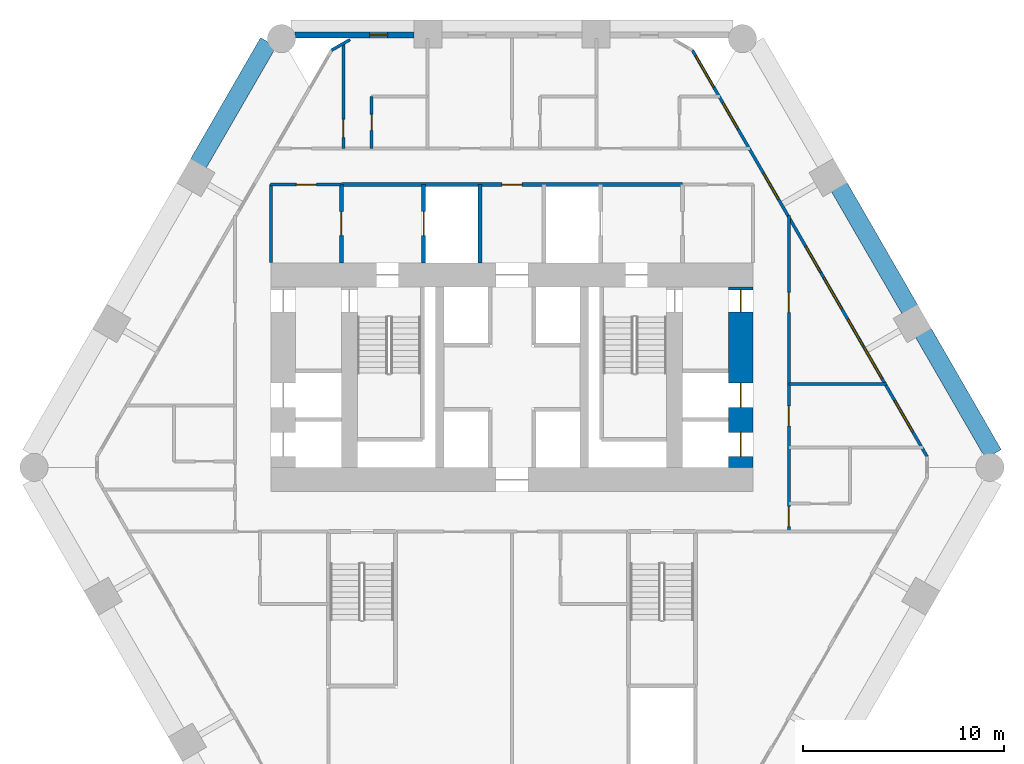
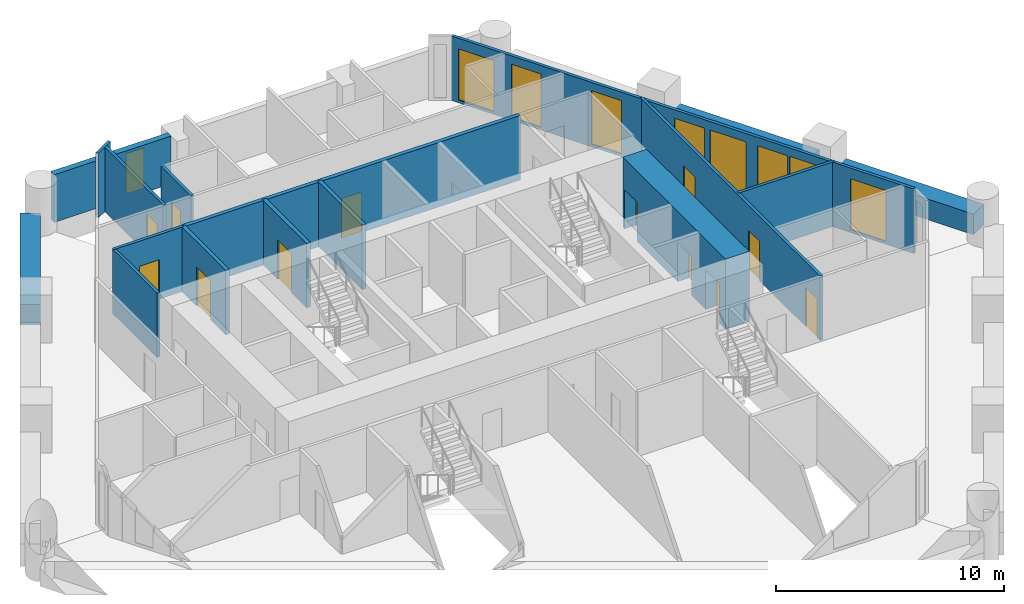
# One storey, part 5 of 8: 17 walls, 12 doors, 9 windows, 21 openings.
"""IFC4 building model written with IfcOpenShell, lengths in metres."""

from ifc_helpers import new_model, si_unit, direction, frame, frame_2d, origin, place, context, subcontext, project, spatial, rectangle, extrude, material, layer, layer_set, type_object, element, fill, save


model = new_model("IFC4")

# Units and contexts
model_context = context("Model", 3, precision=1e-05, world=origin(), true_north=direction((0.0, 1.0)))
body_context = subcontext(model_context, "Body", "Model", "MODEL_VIEW")
ifc_project = project(units=[si_unit("LENGTHUNIT", "METRE"), si_unit("AREAUNIT", "SQUARE_METRE"), si_unit("VOLUMEUNIT", "CUBIC_METRE"), si_unit("PLANEANGLEUNIT", "RADIAN"), si_unit("MASSUNIT", "GRAM", prefix="KILO")], contexts=[model_context])

# Site, building, storey
site_placement = place(None, origin())
site = spatial("IfcSite", under=ifc_project, at=site_placement, CompositionType="ELEMENT")
building_placement = place(site_placement, origin())
building = spatial("IfcBuilding", under=site, at=building_placement, Name="Ostrander Bayou Hotel Tower", CompositionType="ELEMENT")
storey_placement = place(building_placement, frame((0.0, 0.0, 50.5)))
storey = spatial("IfcBuildingStorey", under=building, at=storey_placement, Name="L12", CompositionType="ELEMENT", Elevation=50.5)

# Wall, openings, doors
ifc_material_1 = material(Name="Concrete f'c 70 MPa", Category="concrete")
ifc_layer_1 = layer(ifc_material_1, 1.199951171875)
ifc_layer_set_1 = layer_set([ifc_layer_1], Name="CW1 core wall 1200 mm f'c 70 MPa")
wall_type_1 = type_object("IfcWallType", Name="CW1 core wall 1200 mm f'c 70 MPa", PredefinedType="SHEAR", material=ifc_layer_set_1)
wall_1_placement = place(storey_placement, frame((11.39990234375, -0.5, -0.300048828125), z_axis=(0.0, 0.0, 1.0), x_axis=(0.0, 1.0, 0.0)))
wall_1 = element("IfcWall", 1, at=wall_1_placement, inside=storey, type_object=wall_type_1, Name="CW1 L12 RE", PredefinedType="SHEAR", context=body_context, shape_type="SweptSolid", body=[
    extrude(rectangle(XDim=9.0, YDim=1.199951171875, at=frame_2d((4.5, 0.0))), origin(), (0.0, 0.0, 1.0), 3.75),
])
opening_1_placement = place(wall_1_placement, frame((7.75, 0.0, 0.0)))
opening_1 = element("IfcOpeningElement", 2, at=opening_1_placement, cuts=wall_1, Name="Opening T12-017", PredefinedType="OPENING", context=body_context, shape_type="SweptSolid", body=[
    extrude(rectangle(XDim=1.10009765625, YDim=2.10009765625, at=frame_2d((0.550048828125, 1.050048828125))), frame((0.0, 0.60009765625, 0.0), z_axis=(0.0, -1.0, 0.0), x_axis=(1.0, 0.0, 0.0)), (0.0, 0.0, 1.0), 1.199951171875),
])
opening_2_placement = place(wall_1_placement, frame((0.550048828125, 0.0, 0.0)))
opening_2 = element("IfcOpeningElement", 3, at=opening_2_placement, cuts=wall_1, Name="Opening T12-018", PredefinedType="OPENING", context=body_context, shape_type="SweptSolid", body=[
    extrude(rectangle(XDim=1.199951171875, YDim=2.10009765625, at=frame_2d((0.60009765625, 1.050048828125))), frame((0.0, 0.60009765625, 0.0), z_axis=(0.0, -1.0, 0.0), x_axis=(1.0, 0.0, 0.0)), (0.0, 0.0, 1.0), 1.199951171875),
])
opening_3_placement = place(wall_1_placement, frame((3.0, 0.0, 0.0)))
opening_3 = element("IfcOpeningElement", 4, at=opening_3_placement, cuts=wall_1, Name="Opening T12-019", PredefinedType="OPENING", context=body_context, shape_type="SweptSolid", body=[
    extrude(rectangle(XDim=1.199951171875, YDim=2.10009765625, at=frame_2d((0.60009765625, 1.050048828125))), frame((0.0, 0.60009765625, 0.0), z_axis=(0.0, -1.0, 0.0), x_axis=(1.0, 0.0, 0.0)), (0.0, 0.0, 1.0), 1.199951171875),
])
ifc_material_2 = material(Name="Timber door leaf", Category="wood")
door_type_1 = type_object("IfcDoorType", Name="D5 stair door 1100 x 2100 mm, 90 minute", OperationType="SINGLE_SWING_LEFT", PredefinedType="DOOR", material=ifc_material_2)
door_1_placement = place(opening_1_placement, origin())
door_1 = element("IfcDoor", 5, at=door_1_placement, inside=storey, type_object=door_type_1, Name="dr:L12:017", OperationType="SINGLE_SWING_RIGHT", OverallHeight=2.10009765625, OverallWidth=1.10009765625, PredefinedType="DOOR", context=body_context, shape_type="SweptSolid", body=[
    extrude(rectangle(XDim=1.10009765625, YDim=2.10009765625, at=frame_2d((0.550048828125, 1.050048828125))), frame((0.0, 0.02490234375, 0.0), z_axis=(0.0, -1.0, 0.0), x_axis=(1.0, 0.0, 0.0)), (0.0, 0.0, 1.0), 0.050048828125),
])
fill(opening_1, door_1)
ifc_material_3 = material(Name="Stainless steel sliding door", Category="steel")
door_type_2 = type_object("IfcDoorType", Name="LD1 lift landing door 1200 x 2100 mm", OperationType="SINGLE_SWING_LEFT", PredefinedType="DOOR", material=ifc_material_3)
door_2_placement = place(opening_2_placement, origin())
door_2 = element("IfcDoor", 6, at=door_2_placement, inside=storey, type_object=door_type_2, Name="dr:L12:018", OperationType="SLIDING_TO_LEFT", OverallHeight=2.10009765625, OverallWidth=1.199951171875, PredefinedType="DOOR", context=body_context, shape_type="SweptSolid", body=[
    extrude(rectangle(XDim=1.199951171875, YDim=2.10009765625, at=frame_2d((0.60009765625, 1.050048828125))), frame((0.0, 0.02490234375, 0.0), z_axis=(0.0, -1.0, 0.0), x_axis=(1.0, 0.0, 0.0)), (0.0, 0.0, 1.0), 0.050048828125),
])
fill(opening_2, door_2)
door_3_placement = place(opening_3_placement, origin())
door_3 = element("IfcDoor", 7, at=door_3_placement, inside=storey, type_object=door_type_2, Name="dr:L12:019", OperationType="SLIDING_TO_LEFT", OverallHeight=2.10009765625, OverallWidth=1.199951171875, PredefinedType="DOOR", context=body_context, shape_type="SweptSolid", body=[
    extrude(rectangle(XDim=1.199951171875, YDim=2.10009765625, at=frame_2d((0.60009765625, 1.050048828125))), frame((0.0, 0.02490234375, 0.0), z_axis=(0.0, -1.0, 0.0), x_axis=(1.0, 0.0, 0.0)), (0.0, 0.0, 1.0), 0.050048828125),
])
fill(opening_3, door_3)

# Wall, openings, windows
ifc_material_4 = material(Name="Aluminium framed insulated wall", Category="aluminium")
ifc_layer_2 = layer(ifc_material_4, 0.14990234375)
ifc_layer_set_2 = layer_set([ifc_layer_2], Name="GW1 glass-line wall 150 mm")
wall_type_2 = type_object("IfcWallType", Name="GW1 glass-line wall 150 mm", PredefinedType="SOLIDWALL", material=ifc_layer_set_2)
wall_2_placement = place(storey_placement, frame((20.6845703125, 0.04150390625, 0.0), z_axis=(0.0, 0.0, 1.0), x_axis=(-0.49999960747, 0.866025630412, 0.0)))
wall_2 = element("IfcWall", 8, at=wall_2_placement, inside=storey, type_object=wall_type_2, Name="GW1 L12 NE 1", PredefinedType="SOLIDWALL", context=body_context, shape_type="SweptSolid", body=[
    extrude(rectangle(XDim=23.3837890625, YDim=0.14990234375, at=frame_2d((11.69189453125, 0.0))), origin(), (0.0, 0.0, 1.0), 3.449951171875),
])
opening_4_placement = place(wall_2_placement, frame((4.49072265625, 0.0, 0.14990234375)))
opening_4 = element("IfcOpeningElement", 9, at=opening_4_placement, cuts=wall_2, Name="Opening W1", PredefinedType="OPENING", context=body_context, shape_type="SweptSolid", body=[
    extrude(rectangle(XDim=1.800048828125, YDim=2.85009765625, at=frame_2d((0.89990234375, 1.425048828125))), frame((0.0, 0.074951171875, 0.0), z_axis=(0.0, -1.0, 0.0), x_axis=(1.0, 0.0, 0.0)), (0.0, 0.0, 1.0), 0.14990234375),
])
opening_5_placement = place(wall_2_placement, frame((6.40625, 0.0, 0.14990234375)))
opening_5 = element("IfcOpeningElement", 10, at=opening_5_placement, cuts=wall_2, Name="Opening W11", PredefinedType="OPENING", context=body_context, shape_type="SweptSolid", body=[
    extrude(rectangle(XDim=1.5, YDim=2.85009765625, at=frame_2d((0.75, 1.425048828125))), frame((0.0, 0.074951171875, 0.0), z_axis=(0.0, -1.0, 0.0), x_axis=(1.0, 0.0, 0.0)), (0.0, 0.0, 1.0), 0.14990234375),
])
opening_6_placement = place(wall_2_placement, frame((8.50634765625, 0.0, 0.14990234375)))
opening_6 = element("IfcOpeningElement", 11, at=opening_6_placement, cuts=wall_2, Name="Opening W1", PredefinedType="OPENING", context=body_context, shape_type="SweptSolid", body=[
    extrude(rectangle(XDim=1.800048828125, YDim=2.85009765625, at=frame_2d((0.89990234375, 1.425048828125))), frame((0.0, 0.074951171875, 0.0), z_axis=(0.0, -1.0, 0.0), x_axis=(1.0, 0.0, 0.0)), (0.0, 0.0, 1.0), 0.14990234375),
])
opening_7_placement = place(wall_2_placement, frame((10.606201171875, 0.0, 0.14990234375)))
opening_7 = element("IfcOpeningElement", 12, at=opening_7_placement, cuts=wall_2, Name="Opening W11", PredefinedType="OPENING", context=body_context, shape_type="SweptSolid", body=[
    extrude(rectangle(XDim=1.5, YDim=2.85009765625, at=frame_2d((0.75, 1.425048828125))), frame((0.0, 0.074951171875, 0.0), z_axis=(0.0, -1.0, 0.0), x_axis=(1.0, 0.0, 0.0)), (0.0, 0.0, 1.0), 0.14990234375),
])
opening_8_placement = place(wall_2_placement, frame((14.806396484375, 0.0, 0.14990234375)))
opening_8 = element("IfcOpeningElement", 13, at=opening_8_placement, cuts=wall_2, Name="Opening W11", PredefinedType="OPENING", context=body_context, shape_type="SweptSolid", body=[
    extrude(rectangle(XDim=1.5, YDim=2.85009765625, at=frame_2d((0.75, 1.425048828125))), frame((0.0, 0.074951171875, 0.0), z_axis=(0.0, -1.0, 0.0), x_axis=(1.0, 0.0, 0.0)), (0.0, 0.0, 1.0), 0.14990234375),
])
opening_9_placement = place(wall_2_placement, frame((18.860595703125, 0.0, 0.14990234375)))
opening_9 = element("IfcOpeningElement", 14, at=opening_9_placement, cuts=wall_2, Name="Opening W11", PredefinedType="OPENING", context=body_context, shape_type="SweptSolid", body=[
    extrude(rectangle(XDim=1.5, YDim=2.85009765625, at=frame_2d((0.75, 1.425048828125))), frame((0.0, 0.074951171875, 0.0), z_axis=(0.0, -1.0, 0.0), x_axis=(1.0, 0.0, 0.0)), (0.0, 0.0, 1.0), 0.14990234375),
])
opening_10_placement = place(wall_2_placement, frame((1.422119140625, 0.0, 0.14990234375)))
opening_10 = element("IfcOpeningElement", 15, at=opening_10_placement, cuts=wall_2, Name="Opening W1", PredefinedType="OPENING", context=body_context, shape_type="SweptSolid", body=[
    extrude(rectangle(XDim=1.800048828125, YDim=2.72998046875, at=frame_2d((0.89990234375, 1.364990234375))), frame((0.0, 0.074951171875, 0.0), z_axis=(0.0, -1.0, 0.0), x_axis=(1.0, 0.0, 0.0)), (0.0, 0.0, 1.0), 0.14990234375),
])
opening_11_placement = place(wall_2_placement, frame((21.247314453125, 0.0, 0.14990234375)))
opening_11 = element("IfcOpeningElement", 16, at=opening_11_placement, cuts=wall_2, Name="Opening W1", PredefinedType="OPENING", context=body_context, shape_type="SweptSolid", body=[
    extrude(rectangle(XDim=1.800048828125, YDim=2.72998046875, at=frame_2d((0.89990234375, 1.364990234375))), frame((0.0, 0.074951171875, 0.0), z_axis=(0.0, -1.0, 0.0), x_axis=(1.0, 0.0, 0.0)), (0.0, 0.0, 1.0), 0.14990234375),
])
ifc_material_5 = material(Name="Aluminium and clear glass", Category="aluminium")
window_type_1 = type_object("IfcWindowType", Name="W1 fixed window 1800 mm, zone 1", PartitioningType="SINGLE_PANEL", PredefinedType="WINDOW", material=ifc_material_5)
window_1_placement = place(opening_4_placement, origin())
window_1 = element("IfcWindow", 17, at=window_1_placement, inside=storey, type_object=window_type_1, Name="W1 L12 NE 2", OverallHeight=2.85009765625, OverallWidth=1.800048828125, PartitioningType="SINGLE_PANEL", PredefinedType="WINDOW", context=body_context, shape_type="SweptSolid", body=[
    extrude(rectangle(XDim=1.800048828125, YDim=2.85009765625, at=frame_2d((0.89990234375, 1.425048828125))), frame((0.0, 0.030029296875, 0.0), z_axis=(0.0, -1.0, 0.0), x_axis=(1.0, 0.0, 0.0)), (0.0, 0.0, 1.0), 0.06005859375),
])
fill(opening_4, window_1)
window_2_placement = place(opening_6_placement, origin())
window_2 = element("IfcWindow", 18, at=window_2_placement, inside=storey, type_object=window_type_1, Name="W1 L12 NE 3", OverallHeight=2.85009765625, OverallWidth=1.800048828125, PartitioningType="SINGLE_PANEL", PredefinedType="WINDOW", context=body_context, shape_type="SweptSolid", body=[
    extrude(rectangle(XDim=1.800048828125, YDim=2.85009765625, at=frame_2d((0.89990234375, 1.425048828125))), frame((0.0, 0.030029296875, 0.0), z_axis=(0.0, -1.0, 0.0), x_axis=(1.0, 0.0, 0.0)), (0.0, 0.0, 1.0), 0.06005859375),
])
fill(opening_6, window_2)
window_3_placement = place(opening_10_placement, origin())
window_3 = element("IfcWindow", 19, at=window_3_placement, inside=storey, type_object=window_type_1, Name="W1 L12 NE E12", OverallHeight=2.72998046875, OverallWidth=1.800048828125, PartitioningType="SINGLE_PANEL", PredefinedType="WINDOW", context=body_context, shape_type="SweptSolid", body=[
    extrude(rectangle(XDim=1.800048828125, YDim=2.72998046875, at=frame_2d((0.89990234375, 1.364990234375))), frame((0.0, 0.030029296875, 0.0), z_axis=(0.0, -1.0, 0.0), x_axis=(1.0, 0.0, 0.0)), (0.0, 0.0, 1.0), 0.06005859375),
])
fill(opening_10, window_3)
window_4_placement = place(opening_11_placement, origin())
window_4 = element("IfcWindow", 20, at=window_4_placement, inside=storey, type_object=window_type_1, Name="W1 L12 NE E21", OverallHeight=2.72998046875, OverallWidth=1.800048828125, PartitioningType="SINGLE_PANEL", PredefinedType="WINDOW", context=body_context, shape_type="SweptSolid", body=[
    extrude(rectangle(XDim=1.800048828125, YDim=2.72998046875, at=frame_2d((0.89990234375, 1.364990234375))), frame((0.0, 0.030029296875, 0.0), z_axis=(0.0, -1.0, 0.0), x_axis=(1.0, 0.0, 0.0)), (0.0, 0.0, 1.0), 0.06005859375),
])
fill(opening_11, window_4)
ifc_material_6 = material(Name="Aluminium and clear glass", Category="aluminium")
window_type_2 = type_object("IfcWindowType", Name="W11 fixed window 1500 mm, bath bay, zone 1", PartitioningType="SINGLE_PANEL", PredefinedType="WINDOW", material=ifc_material_6)
window_5_placement = place(opening_5_placement, origin())
window_5 = element("IfcWindow", 21, at=window_5_placement, inside=storey, type_object=window_type_2, Name="W11 L12 NE 2", OverallHeight=2.85009765625, OverallWidth=1.5, PartitioningType="SINGLE_PANEL", PredefinedType="WINDOW", context=body_context, shape_type="SweptSolid", body=[
    extrude(rectangle(XDim=1.5, YDim=2.85009765625, at=frame_2d((0.75, 1.425048828125))), frame((0.0, 0.030029296875, 0.0), z_axis=(0.0, -1.0, 0.0), x_axis=(1.0, 0.0, 0.0)), (0.0, 0.0, 1.0), 0.06005859375),
])
fill(opening_5, window_5)
window_6_placement = place(opening_7_placement, origin())
window_6 = element("IfcWindow", 22, at=window_6_placement, inside=storey, type_object=window_type_2, Name="W11 L12 NE 3", OverallHeight=2.85009765625, OverallWidth=1.5, PartitioningType="SINGLE_PANEL", PredefinedType="WINDOW", context=body_context, shape_type="SweptSolid", body=[
    extrude(rectangle(XDim=1.5, YDim=2.85009765625, at=frame_2d((0.75, 1.425048828125))), frame((0.0, 0.030029296875, 0.0), z_axis=(0.0, -1.0, 0.0), x_axis=(1.0, 0.0, 0.0)), (0.0, 0.0, 1.0), 0.06005859375),
])
fill(opening_7, window_6)
window_7_placement = place(opening_8_placement, origin())
window_7 = element("IfcWindow", 23, at=window_7_placement, inside=storey, type_object=window_type_2, Name="W11 L12 NE 4", OverallHeight=2.85009765625, OverallWidth=1.5, PartitioningType="SINGLE_PANEL", PredefinedType="WINDOW", context=body_context, shape_type="SweptSolid", body=[
    extrude(rectangle(XDim=1.5, YDim=2.85009765625, at=frame_2d((0.75, 1.425048828125))), frame((0.0, 0.030029296875, 0.0), z_axis=(0.0, -1.0, 0.0), x_axis=(1.0, 0.0, 0.0)), (0.0, 0.0, 1.0), 0.06005859375),
])
fill(opening_8, window_7)
window_8_placement = place(opening_9_placement, origin())
window_8 = element("IfcWindow", 24, at=window_8_placement, inside=storey, type_object=window_type_2, Name="W11 L12 NE 5", OverallHeight=2.85009765625, OverallWidth=1.5, PartitioningType="SINGLE_PANEL", PredefinedType="WINDOW", context=body_context, shape_type="SweptSolid", body=[
    extrude(rectangle(XDim=1.5, YDim=2.85009765625, at=frame_2d((0.75, 1.425048828125))), frame((0.0, 0.030029296875, 0.0), z_axis=(0.0, -1.0, 0.0), x_axis=(1.0, 0.0, 0.0)), (0.0, 0.0, 1.0), 0.06005859375),
])
fill(opening_9, window_8)

# Wall
wall_3_placement = place(storey_placement, frame((-8.0703125, 20.824951171875, 0.0), z_axis=(0.0, 0.0, 1.0), x_axis=(-0.866048165231, -0.499960573946, 0.0)))
element("IfcWall", 25, at=wall_3_placement, inside=storey, type_object=wall_type_2, Name="GW1 L12 corner 1", PredefinedType="SOLIDWALL", context=body_context, shape_type="SweptSolid", body=[
    extrude(rectangle(XDim=1.06494140625, YDim=0.14990234375, at=frame_2d((0.532470703125, 0.0))), origin(), (0.0, 0.0, 1.0), 3.449951171875),
])

# Wall, opening, window
ifc_material_7 = material(Name="Reconstituted stone on masonry backing", Category="masonry")
ifc_layer_3 = layer(ifc_material_7, 0.300048828125)
ifc_layer_set_3 = layer_set([ifc_layer_3], Name="NW1 north stone wall 300 mm")
wall_type_3 = type_object("IfcWallType", Name="NW1 north stone wall 300 mm", PredefinedType="SOLIDWALL", material=ifc_layer_set_3)
wall_4_placement = place(storey_placement, frame((-4.8955078125, 21.050048828125, 0.0), z_axis=(0.0, 0.0, 1.0), x_axis=(-1.0, 0.0, 0.0)))
wall_4 = element("IfcWall", 26, at=wall_4_placement, inside=storey, type_object=wall_type_3, Name="NW1 L12 N-3", PredefinedType="SOLIDWALL", context=body_context, shape_type="SweptSolid", body=[
    extrude(rectangle(XDim=5.914306640625, YDim=0.300048828125, at=frame_2d((2.95703125, 0.0))), origin(), (0.0, 0.0, 1.0), 2.550048828125),
])
opening_12_placement = place(wall_4_placement, frame((1.300048828125, 0.0, 0.14990234375)))
opening_12 = element("IfcOpeningElement", 27, at=opening_12_placement, cuts=wall_4, Name="Opening W15", PredefinedType="OPENING", context=body_context, shape_type="SweptSolid", body=[
    extrude(rectangle(XDim=0.89990234375, YDim=2.14990234375, at=frame_2d((0.449951171875, 1.074951171875))), frame((0.0, 0.14990234375, 0.0), z_axis=(0.0, -1.0, 0.0), x_axis=(1.0, 0.0, 0.0)), (0.0, 0.0, 1.0), 0.300048828125),
])
ifc_material_8 = material(Name="Aluminium and clear glass", Category="aluminium")
window_type_3 = type_object("IfcWindowType", Name="W15 window 900 mm, zone 1", PartitioningType="SINGLE_PANEL", PredefinedType="WINDOW", material=ifc_material_8)
window_9_placement = place(opening_12_placement, origin())
window_9 = element("IfcWindow", 28, at=window_9_placement, inside=storey, type_object=window_type_3, Name="W15 L12 north N-3", OverallHeight=2.14990234375, OverallWidth=0.89990234375, PartitioningType="SINGLE_PANEL", PredefinedType="WINDOW", context=body_context, shape_type="SweptSolid", body=[
    extrude(rectangle(XDim=0.89990234375, YDim=2.14990234375, at=frame_2d((0.449951171875, 1.074951171875))), frame((0.0, 0.030029296875, 0.0), z_axis=(0.0, -1.0, 0.0), x_axis=(1.0, 0.0, 0.0)), (0.0, 0.0, 1.0), 0.06005859375),
])
fill(opening_12, window_9)

# Walls
ifc_material_9 = material(Name="Concrete f'c 40 MPa", Category="concrete")
ifc_layer_4 = layer(ifc_material_9, 0.89990234375)
ifc_layer_set_4 = layer_set([ifc_layer_4], Name="PA1 stone-faced parapet 900 mm")
wall_type_4 = type_object("IfcWallType", Name="PA1 stone-faced parapet 900 mm", PredefinedType="PARAPET", material=ifc_layer_set_4)
for number, where, z_axis, x_axis, name in (
    (29, (-12.13818359375, 20.694091796875, 0.0), (0.0, 0.0, 1.0), (-0.500009789943, -0.866019751484, 0.0), "PA1 L12 NW-1"),
    (30, (23.99072265625, 0.1650390625, 0.0), (0.0, 0.0, 1.0), (-0.499983583635, 0.86603488157, 0.0), "PA1 L12 NE-1"),
):
    element("IfcWall", number, at=place(storey_placement, frame(where, z_axis=z_axis, x_axis=x_axis)), inside=storey, type_object=wall_type_4, Name=name, PredefinedType="PARAPET", context=body_context, shape_type="SweptSolid", body=[
        extrude(rectangle(XDim=6.987060546875, YDim=0.89990234375, at=frame_2d((3.49365234375, 0.0))), origin(), (0.0, 0.0, 1.0), 1.10009765625),
    ])
wall_5_placement = place(storey_placement, frame((19.8271484375, 7.37646484375, 0.0), z_axis=(0.0, 0.0, 1.0), x_axis=(-0.499997206141, 0.866027016814, 0.0)))
element("IfcWall", 31, at=wall_5_placement, inside=storey, type_object=wall_type_4, Name="PA1 L12 NE-2", PredefinedType="PARAPET", context=body_context, shape_type="SweptSolid", body=[
    extrude(rectangle(XDim=7.05078125, YDim=0.89990234375, at=frame_2d((3.525390625, 0.0))), origin(), (0.0, 0.0, 1.0), 1.10009765625),
])

# Wall, opening, door
ifc_material_10 = material(Name="Masonry block", Category="masonry")
ifc_layer_5 = layer(ifc_material_10, 0.199951171875)
ifc_layer_set_5 = layer_set([ifc_layer_5], Name="PT5 stair enclosure wall 200 mm masonry, 2 hour")
wall_type_5 = type_object("IfcWallType", Name="PT5 stair enclosure wall 200 mm masonry, 2 hour", PredefinedType="PARTITIONING", material=ifc_layer_set_5)
wall_6_placement = place(storey_placement, frame((-8.5, 13.60009765625, 0.0), z_axis=(0.0, 0.0, 1.0), x_axis=(1.0, 0.0, 0.0)))
wall_6 = element("IfcWall", 32, at=wall_6_placement, inside=storey, type_object=wall_type_5, Name="cs:L12:023", PredefinedType="PARTITIONING", context=body_context, shape_type="SweptSolid", body=[
    extrude(rectangle(XDim=17.0, YDim=0.199951171875, at=frame_2d((8.5, 0.0))), origin(), (0.0, 0.0, 1.0), 3.449951171875),
])
opening_13_placement = place(wall_6_placement, frame((8.0, 0.0, 0.0)))
opening_13 = element("IfcOpeningElement", 33, at=opening_13_placement, cuts=wall_6, Name="Opening T12-013", PredefinedType="OPENING", context=body_context, shape_type="SweptSolid", body=[
    extrude(rectangle(XDim=1.0, YDim=2.10009765625, at=frame_2d((0.5, 1.050048828125))), frame((0.0, 0.10009765625, 0.0), z_axis=(0.0, -1.0, 0.0), x_axis=(1.0, 0.0, 0.0)), (0.0, 0.0, 1.0), 0.199951171875),
])
ifc_material_11 = material(Name="Timber door leaf", Category="wood")
door_type_3 = type_object("IfcDoorType", Name="D9 service door 1000 x 2100 mm, 30 minute", OperationType="SINGLE_SWING_LEFT", PredefinedType="DOOR", material=ifc_material_11)
door_4_placement = place(opening_13_placement, origin())
door_4 = element("IfcDoor", 34, at=door_4_placement, inside=storey, type_object=door_type_3, Name="dr:L12:013", OperationType="SINGLE_SWING_LEFT", OverallHeight=2.10009765625, OverallWidth=1.0, PredefinedType="DOOR", context=body_context, shape_type="SweptSolid", body=[
    extrude(rectangle(XDim=1.0, YDim=2.10009765625, at=frame_2d((0.5, 1.050048828125))), frame((0.0, 0.02490234375, 0.0), z_axis=(0.0, -1.0, 0.0), x_axis=(1.0, 0.0, 0.0)), (0.0, 0.0, 1.0), 0.050048828125),
])
fill(opening_13, door_4)

wall_7_placement = place(storey_placement, frame((-8.5, 9.699951171875, 0.0), z_axis=(0.0, 0.0, 1.0), x_axis=(0.0, 1.0, 0.0)))
wall_7 = element("IfcWall", 35, at=wall_7_placement, inside=storey, type_object=wall_type_5, Name="cs:L12:024", PredefinedType="PARTITIONING", context=body_context, shape_type="SweptSolid", body=[
    extrude(rectangle(XDim=3.900146484375, YDim=0.199951171875, at=frame_2d((1.9501953125, 0.0))), origin(), (0.0, 0.0, 1.0), 3.449951171875),
])
opening_14_placement = place(wall_7_placement, frame((1.35009765625, 0.0, 0.0)))
opening_14 = element("IfcOpeningElement", 36, at=opening_14_placement, cuts=wall_7, Name="Opening T12-010", PredefinedType="OPENING", context=body_context, shape_type="SweptSolid", body=[
    extrude(rectangle(XDim=1.199951171875, YDim=2.10009765625, at=frame_2d((0.60009765625, 1.050048828125))), frame((0.0, 0.10009765625, 0.0), z_axis=(0.0, -1.0, 0.0), x_axis=(1.0, 0.0, 0.0)), (0.0, 0.0, 1.0), 0.199951171875),
])
ifc_material_12 = material(Name="Timber door leaf", Category="wood")
door_type_4 = type_object("IfcDoorType", Name="D7 lobby door 1200 x 2100 mm, 1 hour", OperationType="SINGLE_SWING_LEFT", PredefinedType="DOOR", material=ifc_material_12)
door_5_placement = place(opening_14_placement, origin())
door_5 = element("IfcDoor", 37, at=door_5_placement, inside=storey, type_object=door_type_4, Name="dr:L12:010", OperationType="SINGLE_SWING_LEFT", OverallHeight=2.10009765625, OverallWidth=1.199951171875, PredefinedType="DOOR", context=body_context, shape_type="SweptSolid", body=[
    extrude(rectangle(XDim=1.199951171875, YDim=2.10009765625, at=frame_2d((0.60009765625, 1.050048828125))), frame((0.0, 0.02490234375, 0.0), z_axis=(0.0, -1.0, 0.0), x_axis=(1.0, 0.0, 0.0)), (0.0, 0.0, 1.0), 0.050048828125),
])
fill(opening_14, door_5)

wall_8_placement = place(storey_placement, frame((-4.39990234375, 9.699951171875, 0.0), z_axis=(0.0, 0.0, 1.0), x_axis=(0.0, 1.0, 0.0)))
wall_8 = element("IfcWall", 38, at=wall_8_placement, inside=storey, type_object=wall_type_5, Name="cs:L12:026", PredefinedType="PARTITIONING", context=body_context, shape_type="SweptSolid", body=[
    extrude(rectangle(XDim=3.900146484375, YDim=0.199951171875, at=frame_2d((1.9501953125, 0.0))), origin(), (0.0, 0.0, 1.0), 3.449951171875),
])
opening_15_placement = place(wall_8_placement, frame((1.35009765625, 0.0, 0.0)))
opening_15 = element("IfcOpeningElement", 39, at=opening_15_placement, cuts=wall_8, Name="Opening T12-009", PredefinedType="OPENING", context=body_context, shape_type="SweptSolid", body=[
    extrude(rectangle(XDim=1.199951171875, YDim=2.10009765625, at=frame_2d((0.60009765625, 1.050048828125))), frame((0.0, 0.10009765625, 0.0), z_axis=(0.0, -1.0, 0.0), x_axis=(1.0, 0.0, 0.0)), (0.0, 0.0, 1.0), 0.199951171875),
])
door_6_placement = place(opening_15_placement, origin())
door_6 = element("IfcDoor", 40, at=door_6_placement, inside=storey, type_object=door_type_2, Name="dr:L12:009", OperationType="SLIDING_TO_LEFT", OverallHeight=2.10009765625, OverallWidth=1.199951171875, PredefinedType="DOOR", context=body_context, shape_type="SweptSolid", body=[
    extrude(rectangle(XDim=1.199951171875, YDim=2.10009765625, at=frame_2d((0.60009765625, 1.050048828125))), frame((0.0, 0.02490234375, 0.0), z_axis=(0.0, -1.0, 0.0), x_axis=(1.0, 0.0, 0.0)), (0.0, 0.0, 1.0), 0.050048828125),
])
fill(opening_15, door_6)

# Walls
ifc_material_13 = material(Name="Masonry block", Category="masonry")
ifc_layer_6 = layer(ifc_material_13, 0.199951171875)
ifc_layer_set_6 = layer_set([ifc_layer_6], Name="PT6 lift shaft wall 200 mm masonry, 2 hour")
wall_type_6 = type_object("IfcWallType", Name="PT6 lift shaft wall 200 mm masonry, 2 hour", PredefinedType="PARTITIONING", material=ifc_layer_set_6)
wall_9_placement = place(storey_placement, frame((-1.60009765625, 9.699951171875, 0.0), z_axis=(0.0, 0.0, 1.0), x_axis=(0.0, 1.0, 0.0)))
element("IfcWall", 41, at=wall_9_placement, inside=storey, type_object=wall_type_6, Name="cs:L12:028", PredefinedType="PARTITIONING", context=body_context, shape_type="SweptSolid", body=[
    extrude(rectangle(XDim=3.900146484375, YDim=0.199951171875, at=frame_2d((1.9501953125, 0.0))), origin(), (0.0, 0.0, 1.0), 3.449951171875),
])
ifc_material_14 = material(Name="Gypsum board partition", Category="finish")
ifc_layer_7 = layer(ifc_material_14, 0.14990234375)
ifc_layer_set_7 = layer_set([ifc_layer_7], Name="PT8 service band wall 150 mm, 1 hour")
wall_type_7 = type_object("IfcWallType", Name="PT8 service band wall 150 mm, 1 hour", PredefinedType="PARTITIONING", material=ifc_layer_set_7)
wall_10_placement = place(storey_placement, frame((13.800048828125, 3.64990234375, 0.0), z_axis=(0.0, 0.0, 1.0), x_axis=(1.0, 0.0, 0.0)))
element("IfcWall", 42, at=wall_10_placement, inside=storey, type_object=wall_type_7, Name="gw:L12:011", PredefinedType="PARTITIONING", context=body_context, shape_type="SweptSolid", body=[
    extrude(rectangle(XDim=4.85302734375, YDim=0.14990234375, at=frame_2d((2.426513671875, 0.0))), origin(), (0.0, 0.0, 1.0), 3.449951171875),
])

# Wall, opening, door
wall_11_placement = place(storey_placement, frame((-12.0400390625, 13.60009765625, 0.0), z_axis=(0.0, 0.0, 1.0), x_axis=(1.0, 0.0, 0.0)))
wall_11 = element("IfcWall", 43, at=wall_11_placement, inside=storey, type_object=wall_type_7, Name="gw:L12:012", PredefinedType="PARTITIONING", context=body_context, shape_type="SweptSolid", body=[
    extrude(rectangle(XDim=3.530029296875, YDim=0.14990234375, at=frame_2d((1.76513671875, 0.0))), origin(), (0.0, 0.0, 1.0), 3.449951171875),
])
opening_16_placement = place(wall_11_placement, frame((1.2900390625, 0.0, 0.0)))
opening_16 = element("IfcOpeningElement", 44, at=opening_16_placement, cuts=wall_11, Name="Opening T12-422", PredefinedType="OPENING", context=body_context, shape_type="SweptSolid", body=[
    extrude(rectangle(XDim=1.0, YDim=2.10009765625, at=frame_2d((0.5, 1.050048828125))), frame((0.0, 0.074951171875, 0.0), z_axis=(0.0, -1.0, 0.0), x_axis=(1.0, 0.0, 0.0)), (0.0, 0.0, 1.0), 0.14990234375),
])
door_7_placement = place(opening_16_placement, origin())
door_7 = element("IfcDoor", 45, at=door_7_placement, inside=storey, type_object=door_type_3, Name="dr:L12:422", OperationType="SINGLE_SWING_RIGHT", OverallHeight=2.10009765625, OverallWidth=1.0, PredefinedType="DOOR", context=body_context, shape_type="SweptSolid", body=[
    extrude(rectangle(XDim=1.0, YDim=2.10009765625, at=frame_2d((0.5, 1.050048828125))), frame((0.0, 0.02490234375, 0.0), z_axis=(0.0, -1.0, 0.0), x_axis=(1.0, 0.0, 0.0)), (0.0, 0.0, 1.0), 0.050048828125),
])
fill(opening_16, door_7)

# Wall, openings, doors
wall_12_placement = place(storey_placement, frame((13.800048828125, -3.699951171875, 0.0), z_axis=(0.0, 0.0, 1.0), x_axis=(0.0, 1.0, 0.0)))
wall_12 = element("IfcWall", 46, at=wall_12_placement, inside=storey, type_object=wall_type_7, Name="gw:L12:019", PredefinedType="PARTITIONING", context=body_context, shape_type="SweptSolid", body=[
    extrude(rectangle(XDim=15.755859375, YDim=0.14990234375, at=frame_2d((7.8779296875, 0.0))), origin(), (0.0, 0.0, 1.0), 3.449951171875),
])
opening_17_placement = place(wall_12_placement, frame((0.25, 0.0, 0.0)))
opening_17 = element("IfcOpeningElement", 47, at=opening_17_placement, cuts=wall_12, Name="Opening T12-410", PredefinedType="OPENING", context=body_context, shape_type="SweptSolid", body=[
    extrude(rectangle(XDim=1.0, YDim=2.10009765625, at=frame_2d((0.5, 1.050048828125))), frame((0.0, 0.074951171875, 0.0), z_axis=(0.0, -1.0, 0.0), x_axis=(1.0, 0.0, 0.0)), (0.0, 0.0, 1.0), 0.14990234375),
])
opening_18_placement = place(wall_12_placement, frame((5.27490234375, 0.0, 0.0)))
opening_18 = element("IfcOpeningElement", 48, at=opening_18_placement, cuts=wall_12, Name="Opening T12-412", PredefinedType="OPENING", context=body_context, shape_type="SweptSolid", body=[
    extrude(rectangle(XDim=1.0, YDim=2.10009765625, at=frame_2d((0.5, 1.050048828125))), frame((0.0, 0.074951171875, 0.0), z_axis=(0.0, -1.0, 0.0), x_axis=(1.0, 0.0, 0.0)), (0.0, 0.0, 1.0), 0.14990234375),
])
opening_19_placement = place(wall_12_placement, frame((10.93310546875, 0.0, 0.0)))
opening_19 = element("IfcOpeningElement", 49, at=opening_19_placement, cuts=wall_12, Name="Opening T12-413", PredefinedType="OPENING", context=body_context, shape_type="SweptSolid", body=[
    extrude(rectangle(XDim=1.0, YDim=2.10009765625, at=frame_2d((0.5, 1.050048828125))), frame((0.0, 0.074951171875, 0.0), z_axis=(0.0, -1.0, 0.0), x_axis=(1.0, 0.0, 0.0)), (0.0, 0.0, 1.0), 0.14990234375),
])
ifc_material_15 = material(Name="Timber door leaf", Category="wood")
door_type_5 = type_object("IfcDoorType", Name="D1 guest room door 1000 x 2100 mm, 30 minute", OperationType="SINGLE_SWING_LEFT", PredefinedType="DOOR", material=ifc_material_15)
door_8_placement = place(opening_17_placement, origin())
door_8 = element("IfcDoor", 50, at=door_8_placement, inside=storey, type_object=door_type_5, Name="dr:L12:410", OperationType="SINGLE_SWING_LEFT", OverallHeight=2.10009765625, OverallWidth=1.0, PredefinedType="DOOR", context=body_context, shape_type="SweptSolid", body=[
    extrude(rectangle(XDim=1.0, YDim=2.10009765625, at=frame_2d((0.5, 1.050048828125))), frame((0.0, 0.02490234375, 0.0), z_axis=(0.0, -1.0, 0.0), x_axis=(1.0, 0.0, 0.0)), (0.0, 0.0, 1.0), 0.050048828125),
])
fill(opening_17, door_8)
door_9_placement = place(opening_18_placement, origin())
door_9 = element("IfcDoor", 51, at=door_9_placement, inside=storey, type_object=door_type_3, Name="dr:L12:412", OperationType="SINGLE_SWING_LEFT", OverallHeight=2.10009765625, OverallWidth=1.0, PredefinedType="DOOR", context=body_context, shape_type="SweptSolid", body=[
    extrude(rectangle(XDim=1.0, YDim=2.10009765625, at=frame_2d((0.5, 1.050048828125))), frame((0.0, 0.02490234375, 0.0), z_axis=(0.0, -1.0, 0.0), x_axis=(1.0, 0.0, 0.0)), (0.0, 0.0, 1.0), 0.050048828125),
])
fill(opening_18, door_9)
door_10_placement = place(opening_19_placement, origin())
door_10 = element("IfcDoor", 52, at=door_10_placement, inside=storey, type_object=door_type_3, Name="dr:L12:413", OperationType="SINGLE_SWING_LEFT", OverallHeight=2.10009765625, OverallWidth=1.0, PredefinedType="DOOR", context=body_context, shape_type="SweptSolid", body=[
    extrude(rectangle(XDim=1.0, YDim=2.10009765625, at=frame_2d((0.5, 1.050048828125))), frame((0.0, 0.02490234375, 0.0), z_axis=(0.0, -1.0, 0.0), x_axis=(1.0, 0.0, 0.0)), (0.0, 0.0, 1.0), 0.050048828125),
])
fill(opening_19, door_10)

# Wall, opening, door
wall_13_placement = place(storey_placement, frame((-7.0, 15.39990234375, 0.0), z_axis=(0.0, 0.0, 1.0), x_axis=(0.0, 1.0, 0.0)))
wall_13 = element("IfcWall", 53, at=wall_13_placement, inside=storey, type_object=wall_type_7, Name="gw:L12:030", PredefinedType="PARTITIONING", context=body_context, shape_type="SweptSolid", body=[
    extrude(rectangle(XDim=2.60009765625, YDim=0.14990234375, at=frame_2d((1.300048828125, 0.0))), origin(), (0.0, 0.0, 1.0), 3.449951171875),
])
opening_20_placement = place(wall_13_placement, frame((0.89990234375, 0.0, 0.0)))
opening_20 = element("IfcOpeningElement", 54, at=opening_20_placement, cuts=wall_13, Name="Opening T12-416", PredefinedType="OPENING", context=body_context, shape_type="SweptSolid", body=[
    extrude(rectangle(XDim=0.800048828125, YDim=2.10009765625, at=frame_2d((0.39990234375, 1.050048828125))), frame((0.0, 0.074951171875, 0.0), z_axis=(0.0, -1.0, 0.0), x_axis=(1.0, 0.0, 0.0)), (0.0, 0.0, 1.0), 0.14990234375),
])
ifc_material_16 = material(Name="Timber door leaf", Category="wood")
door_type_6 = type_object("IfcDoorType", Name="D2 bathroom door 800 x 2100 mm", OperationType="SINGLE_SWING_LEFT", PredefinedType="DOOR", material=ifc_material_16)
door_11_placement = place(opening_20_placement, origin())
door_11 = element("IfcDoor", 55, at=door_11_placement, inside=storey, type_object=door_type_6, Name="dr:L12:416", OperationType="SINGLE_SWING_LEFT", OverallHeight=2.10009765625, OverallWidth=0.800048828125, PredefinedType="DOOR", context=body_context, shape_type="SweptSolid", body=[
    extrude(rectangle(XDim=0.800048828125, YDim=2.10009765625, at=frame_2d((0.39990234375, 1.050048828125))), frame((0.0, 0.02490234375, 0.0), z_axis=(0.0, -1.0, 0.0), x_axis=(1.0, 0.0, 0.0)), (0.0, 0.0, 1.0), 0.050048828125),
])
fill(opening_20, door_11)

wall_14_placement = place(storey_placement, frame((-8.39990234375, 15.39990234375, 0.0), z_axis=(0.0, 0.0, 1.0), x_axis=(0.0, 1.0, 0.0)))
wall_14 = element("IfcWall", 56, at=wall_14_placement, inside=storey, type_object=wall_type_7, Name="gw:L12:031", PredefinedType="PARTITIONING", context=body_context, shape_type="SweptSolid", body=[
    extrude(rectangle(XDim=5.255126953125, YDim=0.14990234375, at=frame_2d((2.62744140625, 0.0))), origin(), (0.0, 0.0, 1.0), 3.449951171875),
])
opening_21_placement = place(wall_14_placement, frame((0.550048828125, 0.0, 0.0)))
opening_21 = element("IfcOpeningElement", 57, at=opening_21_placement, cuts=wall_14, Name="Opening T12-415", PredefinedType="OPENING", context=body_context, shape_type="SweptSolid", body=[
    extrude(rectangle(XDim=0.89990234375, YDim=2.10009765625, at=frame_2d((0.449951171875, 1.050048828125))), frame((0.0, 0.074951171875, 0.0), z_axis=(0.0, -1.0, 0.0), x_axis=(1.0, 0.0, 0.0)), (0.0, 0.0, 1.0), 0.14990234375),
])
ifc_material_17 = material(Name="Timber door leaf", Category="wood")
door_type_7 = type_object("IfcDoorType", Name="D8 room door 900 x 2100 mm", OperationType="SINGLE_SWING_LEFT", PredefinedType="DOOR", material=ifc_material_17)
door_12_placement = place(opening_21_placement, origin())
door_12 = element("IfcDoor", 58, at=door_12_placement, inside=storey, type_object=door_type_7, Name="dr:L12:415", OperationType="SINGLE_SWING_LEFT", OverallHeight=2.10009765625, OverallWidth=0.89990234375, PredefinedType="DOOR", context=body_context, shape_type="SweptSolid", body=[
    extrude(rectangle(XDim=0.89990234375, YDim=2.10009765625, at=frame_2d((0.449951171875, 1.050048828125))), frame((0.0, 0.02490234375, 0.0), z_axis=(0.0, -1.0, 0.0), x_axis=(1.0, 0.0, 0.0)), (0.0, 0.0, 1.0), 0.050048828125),
])
fill(opening_21, door_12)

# Wall
wall_15_placement = place(storey_placement, frame((-12.0, 9.7099609375, 0.0), z_axis=(0.0, 0.0, 1.0), x_axis=(0.0, 1.0, 0.0)))
element("IfcWall", 59, at=wall_15_placement, inside=storey, type_object=wall_type_7, Name="gw:L12:033", PredefinedType="PARTITIONING", context=body_context, shape_type="SweptSolid", body=[
    extrude(rectangle(XDim=3.89013671875, YDim=0.14990234375, at=frame_2d((1.945068359375, 0.0))), origin(), (0.0, 0.0, 1.0), 3.449951171875),
])

save(model, "model.ifc")
